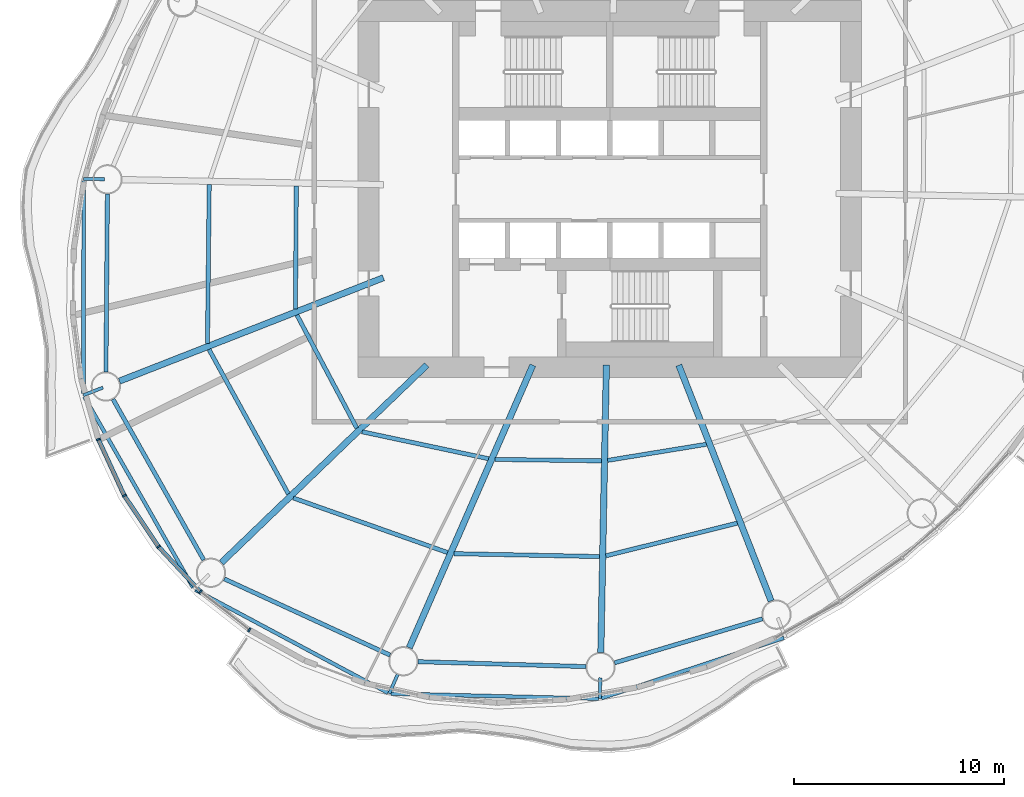
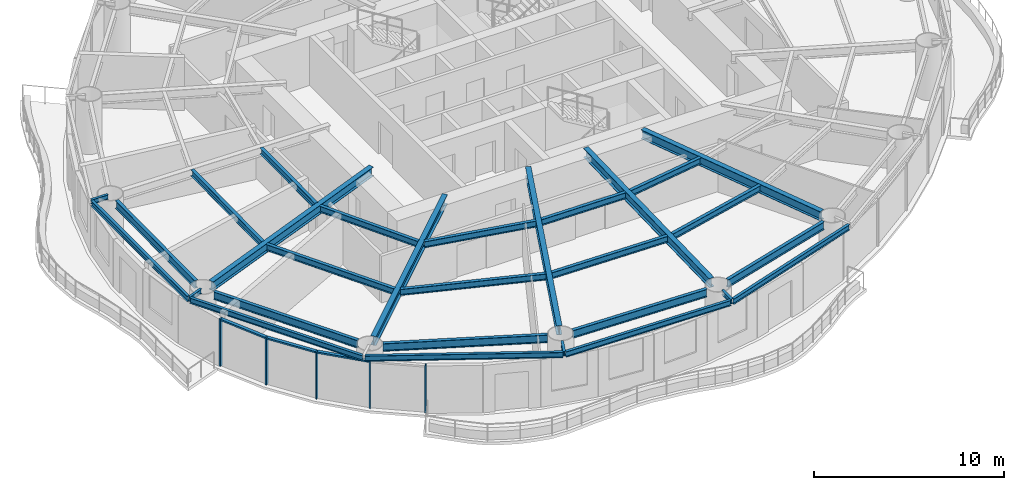
# One storey, part 2 of 14: 29 beams, 8 members, 4 elements without a shape of their own.
"""IFC4 building model written with IfcOpenShell, lengths in metres."""

from ifc_helpers import new_model, si_unit, direction, frame, origin, origin_2d, place, context, subcontext, project, spatial, rectangle, i_section, extrude, material, material_profile, profile_set, type_object, element, aggregate, save


model = new_model("IFC4")

# Units and contexts
model_context = context("Model", 3, precision=1e-05, world=origin(), true_north=direction((0.0, 1.0)))
body_context = subcontext(model_context, "Body", "Model", "MODEL_VIEW")
ifc_project = project(units=[si_unit("LENGTHUNIT", "METRE"), si_unit("AREAUNIT", "SQUARE_METRE"), si_unit("VOLUMEUNIT", "CUBIC_METRE"), si_unit("PLANEANGLEUNIT", "RADIAN"), si_unit("MASSUNIT", "GRAM", prefix="KILO")], contexts=[model_context])

# Site, building, storey
site_placement = place(None, origin())
site = spatial("IfcSite", under=ifc_project, at=site_placement, CompositionType="ELEMENT")
building_placement = place(site_placement, origin())
building = spatial("IfcBuilding", under=site, at=building_placement, Name="Vermilion Reach Broadcast Tower", CompositionType="ELEMENT")
storey_placement = place(building_placement, frame((0.0, 0.0, 186.60009765625)))
storey = spatial("IfcBuildingStorey", under=building, at=storey_placement, Name="L45", CompositionType="ELEMENT", Elevation=186.60009765625)

# Beams
ifc_material_1 = material(Name="Steel S355J2", Category="steel")
ifc_material_profile_1 = material_profile(ifc_material_1, i_section(OverallWidth=0.175048828125, OverallDepth=0.35009765625, WebThickness=0.007080078125, FlangeThickness=0.010986328125, at=origin_2d()), Name="S355J2 HN 350x175x7x11")
ifc_profile_set_1 = profile_set([ifc_material_profile_1], Name="Steel S355J2")
beam_type_1 = type_object("IfcBeamType", Name="EB3 HN 350x175x7x11", PredefinedType="BEAM", material=ifc_profile_set_1)
beam_1_placement = place(storey_placement, frame((-31.098388671875, 0.411376953125, 3.224853515625), z_axis=(-0.000840618398, -0.99999964668, 0.0), x_axis=(0.99999964668, -0.000840618398, 0.0)))
element("IfcBeam", 1, at=beam_1_placement, inside=storey, type_object=beam_type_1, Name="Edge beam EB3-07", PredefinedType="BEAM", context=body_context, shape_type="SweptSolid", body=[
    extrude(i_section(OverallWidth=0.175048828125, OverallDepth=0.35009765625, WebThickness=0.007080078125, FlangeThickness=0.010986328125, at=origin_2d()), origin(), (0.0, 0.0, 1.0), 10.1650390625),
])
beam_2_placement = place(storey_placement, frame((-31.0693359375, -9.900146484375, 3.224853515625), z_axis=(0.495161240221, -0.86880109702, 0.0), x_axis=(0.86880109702, 0.495161240221, 0.0)))
element("IfcBeam", 2, at=beam_2_placement, inside=storey, type_object=beam_type_1, Name="Edge beam EB3-08", PredefinedType="BEAM", context=body_context, shape_type="SweptSolid", body=[
    extrude(i_section(OverallWidth=0.175048828125, OverallDepth=0.35009765625, WebThickness=0.007080078125, FlangeThickness=0.010986328125, at=origin_2d()), origin(), (0.0, 0.0, 1.0), 10.4912109375),
])
beam_3_placement = place(storey_placement, frame((-25.7666015625, -19.119384765625, 3.224853515625), z_axis=(0.88173360956, -0.471747646281, 0.0), x_axis=(0.471747646281, 0.88173360956, 0.0)))
element("IfcBeam", 3, at=beam_3_placement, inside=storey, type_object=beam_type_1, Name="Edge beam EB3-09", PredefinedType="BEAM", context=body_context, shape_type="SweptSolid", body=[
    extrude(i_section(OverallWidth=0.175048828125, OverallDepth=0.35009765625, WebThickness=0.007080078125, FlangeThickness=0.010986328125, at=origin_2d()), origin(), (0.0, 0.0, 1.0), 10.412109375),
])
beam_4_placement = place(storey_placement, frame((-16.4384765625, -24.06884765625, 3.224853515625), z_axis=(0.99970465298, -0.024302403396, 0.0), x_axis=(0.024302403396, 0.99970465298, 0.0)))
element("IfcBeam", 4, at=beam_4_placement, inside=storey, type_object=beam_type_1, Name="Edge beam EB3-10", PredefinedType="BEAM", context=body_context, shape_type="SweptSolid", body=[
    extrude(i_section(OverallWidth=0.175048828125, OverallDepth=0.35009765625, WebThickness=0.007080078125, FlangeThickness=0.010986328125, at=origin_2d()), origin(), (0.0, 0.0, 1.0), 9.895263671875),
])
beam_5_placement = place(storey_placement, frame((-6.3955078125, -24.286376953125, 3.224853515625), z_axis=(0.949463615781, 0.313877113387, 0.0), x_axis=(-0.313877113387, 0.949463615781, 0.0)))
element("IfcBeam", 5, at=beam_5_placement, inside=storey, type_object=beam_type_1, Name="Edge beam EB3-11", PredefinedType="BEAM", context=body_context, shape_type="SweptSolid", body=[
    extrude(i_section(OverallWidth=0.175048828125, OverallDepth=0.35009765625, WebThickness=0.007080078125, FlangeThickness=0.010986328125, at=origin_2d()), origin(), (0.0, 0.0, 1.0), 9.164306640625),
])
ifc_material_2 = material(Name="Steel S355J2", Category="steel")
ifc_material_profile_2 = material_profile(ifc_material_2, i_section(OverallWidth=0.300048828125, OverallDepth=0.587890625, WebThickness=0.011962890625, FlangeThickness=0.02001953125, at=origin_2d()), Name="S355J2 HM 588x300x12x20")
ifc_profile_set_2 = profile_set([ifc_material_profile_2], Name="Steel S355J2")
beam_type_2 = type_object("IfcBeamType", Name="G3 HM 588x300x12x20", PredefinedType="BEAM", material=ifc_profile_set_2)
beam_6_placement = place(storey_placement, frame((-16.800048828125, -4.230224609375, 3.10595703125), z_axis=(-0.931119103562, -0.364715251918, 0.0), x_axis=(0.364715251918, -0.931119103562, 0.0)))
element("IfcBeam", 6, at=beam_6_placement, inside=storey, type_object=beam_type_2, Name="Girder G3-08", PredefinedType="BEAM", context=body_context, shape_type="SweptSolid", body=[
    extrude(i_section(OverallWidth=0.300048828125, OverallDepth=0.587890625, WebThickness=0.011962890625, FlangeThickness=0.02001953125, at=origin_2d()), origin(), (0.0, 0.0, 1.0), 13.519775390625),
])
beam_7_placement = place(storey_placement, frame((-14.73193359375, -8.39990234375, 3.10595703125), z_axis=(-0.720669342644, -0.693278947158, 0.0), x_axis=(0.693278947158, -0.720669342644, 0.0)))
element("IfcBeam", 7, at=beam_7_placement, inside=storey, type_object=beam_type_2, Name="Girder G3-09", PredefinedType="BEAM", context=body_context, shape_type="SweptSolid", body=[
    extrude(i_section(OverallWidth=0.300048828125, OverallDepth=0.587890625, WebThickness=0.011962890625, FlangeThickness=0.02001953125, at=origin_2d()), origin(), (0.0, 0.0, 1.0), 13.583984375),
])
beam_8_placement = place(storey_placement, frame((-9.671630859375, -8.39990234375, 3.10595703125), z_axis=(-0.400513302086, -0.916290944434, 0.0), x_axis=(0.916290944434, -0.400513302086, 0.0)))
element("IfcBeam", 8, at=beam_8_placement, inside=storey, type_object=beam_type_2, Name="Girder G3-10", PredefinedType="BEAM", context=body_context, shape_type="SweptSolid", body=[
    extrude(i_section(OverallWidth=0.300048828125, OverallDepth=0.587890625, WebThickness=0.011962890625, FlangeThickness=0.02001953125, at=origin_2d()), origin(), (0.0, 0.0, 1.0), 14.71435546875),
])
beam_9_placement = place(storey_placement, frame((-6.162841796875, -8.39990234375, 3.10595703125), z_axis=(-0.019366956402, -0.999812442911, 0.0), x_axis=(0.999812442911, -0.019366956402, 0.0)))
element("IfcBeam", 9, at=beam_9_placement, inside=storey, type_object=beam_type_2, Name="Girder G3-11", PredefinedType="BEAM", context=body_context, shape_type="SweptSolid", body=[
    extrude(i_section(OverallWidth=0.300048828125, OverallDepth=0.587890625, WebThickness=0.011962890625, FlangeThickness=0.02001953125, at=origin_2d()), origin(), (0.0, 0.0, 1.0), 13.702880859375),
])
beam_10_placement = place(storey_placement, frame((-2.709716796875, -8.39990234375, 3.10595703125), z_axis=(0.364701826604, -0.931124362087, 0.0), x_axis=(0.931124362087, 0.364701826604, 0.0)))
element("IfcBeam", 10, at=beam_10_placement, inside=storey, type_object=beam_type_2, Name="Girder G3-12", PredefinedType="BEAM", context=body_context, shape_type="SweptSolid", body=[
    extrude(i_section(OverallWidth=0.300048828125, OverallDepth=0.587890625, WebThickness=0.011962890625, FlangeThickness=0.02001953125, at=origin_2d()), origin(), (0.0, 0.0, 1.0), 12.0810546875),
])
ifc_material_3 = material(Name="Steel S355J2", Category="steel")
ifc_material_profile_3 = material_profile(ifc_material_3, i_section(OverallWidth=0.14990234375, OverallDepth=0.300048828125, WebThickness=0.006591796875, FlangeThickness=0.009033203125, at=origin_2d()), Name="S355J2 HN 300x150x6.5x9")
ifc_profile_set_3 = profile_set([ifc_material_profile_3], Name="Steel S355J2")
beam_type_3 = type_object("IfcBeamType", Name="GS3 HN 300x150x6.5x9", PredefinedType="BEAM", material=ifc_profile_set_3)
for number, where, z_axis, x_axis, name in (
    (11, (-30.098388671875, 0.467041015625, 3.25), (-0.999813964781, 0.019288230334, 0.0), (-0.019288230334, -0.999813964781, 0.0), "Cantilever stub GS3-07"),
    (12, (-30.17578125, -9.469482421875, 3.25), (-0.931113051526, -0.364730702407, 0.0), (0.364730702407, -0.931113051526, 0.0), "Cantilever stub GS3-08"),
):
    element("IfcBeam", number, at=place(storey_placement, frame(where, z_axis=z_axis, x_axis=x_axis)), inside=storey, type_object=beam_type_3, Name=name, PredefinedType="BEAM", context=body_context, shape_type="SweptSolid", body=[
        extrude(i_section(OverallWidth=0.14990234375, OverallDepth=0.300048828125, WebThickness=0.006591796875, FlangeThickness=0.009033203125, at=origin_2d()), origin(), (0.0, 0.0, 1.0), 1.0),
    ])
beam_11_placement = place(storey_placement, frame((-16.118896484375, -23.150390625, 3.25), z_axis=(-0.40053712145, -0.916280532556, 0.0), x_axis=(0.916280532556, -0.40053712145, 0.0)))
element("IfcBeam", 13, at=beam_11_placement, inside=storey, type_object=beam_type_3, Name="Cantilever stub GS3-10", PredefinedType="BEAM", context=body_context, shape_type="SweptSolid", body=[
    extrude(i_section(OverallWidth=0.14990234375, OverallDepth=0.300048828125, WebThickness=0.006591796875, FlangeThickness=0.009033203125, at=origin_2d()), origin(), (0.0, 0.0, 1.0), 1.000244140625),
])
beam_12_placement = place(storey_placement, frame((-6.45166015625, -23.3115234375, 3.25), z_axis=(-0.019288230334, -0.999813964781, 0.0), x_axis=(0.999813964781, -0.019288230334, 0.0)))
element("IfcBeam", 14, at=beam_12_placement, inside=storey, type_object=beam_type_3, Name="Cantilever stub GS3-11", PredefinedType="BEAM", context=body_context, shape_type="SweptSolid", body=[
    extrude(i_section(OverallWidth=0.14990234375, OverallDepth=0.300048828125, WebThickness=0.006591796875, FlangeThickness=0.009033203125, at=origin_2d()), origin(), (0.0, 0.0, 1.0), 1.0),
])
ifc_material_4 = material(Name="Steel S355J2", Category="steel")
ifc_material_profile_4 = material_profile(ifc_material_4, i_section(OverallWidth=0.199951171875, OverallDepth=0.5, WebThickness=0.010009765625, FlangeThickness=0.01611328125, at=origin_2d()), Name="S355J2 HN 500x200x10x16")
ifc_profile_set_4 = profile_set([ifc_material_profile_4], Name="Steel S355J2")
beam_type_4 = type_object("IfcBeamType", Name="RB3 HN 500x200x10x16", PredefinedType="BEAM", material=ifc_profile_set_4)
beam_13_placement = place(storey_placement, frame((-29.965087890625, -0.23583984375, 3.14990234375), z_axis=(-0.008204232036, -0.999966344722, 0.0), x_axis=(0.999966344722, -0.008204232036, 0.0)))
element("IfcBeam", 15, at=beam_13_placement, inside=storey, type_object=beam_type_4, Name="Ring beam RB3-07", PredefinedType="BEAM", context=body_context, shape_type="SweptSolid", body=[
    extrude(i_section(OverallWidth=0.199951171875, OverallDepth=0.5, WebThickness=0.010009765625, FlangeThickness=0.01611328125, at=origin_2d()), origin(), (0.0, 0.0, 1.0), 8.48095703125),
])
beam_14_placement = place(storey_placement, frame((-29.696533203125, -10.026123046875, 3.14990234375), z_axis=(0.491466825026, -0.870896296869, 0.0), x_axis=(0.870896296869, 0.491466825026, 0.0)))
element("IfcBeam", 16, at=beam_14_placement, inside=storey, type_object=beam_type_4, Name="Ring beam RB3-08", PredefinedType="BEAM", context=body_context, shape_type="SweptSolid", body=[
    extrude(i_section(OverallWidth=0.199951171875, OverallDepth=0.5, WebThickness=0.010009765625, FlangeThickness=0.01611328125, at=origin_2d()), origin(), (0.0, 0.0, 1.0), 8.803466796875),
])
beam_15_placement = place(storey_placement, frame((-24.389892578125, -18.594970703125, 3.14990234375), z_axis=(0.908546241769, -0.417784306272, 0.0), x_axis=(0.417784306272, 0.908546241769, 0.0)))
element("IfcBeam", 17, at=beam_15_placement, inside=storey, type_object=beam_type_4, Name="Ring beam RB3-09", PredefinedType="BEAM", context=body_context, shape_type="SweptSolid", body=[
    extrude(i_section(OverallWidth=0.199951171875, OverallDepth=0.5, WebThickness=0.010009765625, FlangeThickness=0.01611328125, at=origin_2d()), origin(), (0.0, 0.0, 1.0), 8.704833984375),
])
beam_16_placement = place(storey_placement, frame((-15.1455078125, -22.544677734375, 3.14990234375), z_axis=(0.999569781146, -0.029330063427, 0.0), x_axis=(0.029330063427, 0.999569781146, 0.0)))
element("IfcBeam", 18, at=beam_16_placement, inside=storey, type_object=beam_type_4, Name="Ring beam RB3-10", PredefinedType="BEAM", context=body_context, shape_type="SweptSolid", body=[
    extrude(i_section(OverallWidth=0.199951171875, OverallDepth=0.5, WebThickness=0.010009765625, FlangeThickness=0.01611328125, at=origin_2d()), origin(), (0.0, 0.0, 1.0), 8.007568359375),
])
beam_17_placement = place(storey_placement, frame((-5.770751953125, -22.60009765625, 3.14990234375), z_axis=(0.958416970322, 0.285371531516, 0.0), x_axis=(-0.285371531516, 0.958416970322, 0.0)))
element("IfcBeam", 19, at=beam_17_placement, inside=storey, type_object=beam_type_4, Name="Ring beam RB3-11", PredefinedType="BEAM", context=body_context, shape_type="SweptSolid", body=[
    extrude(i_section(OverallWidth=0.199951171875, OverallDepth=0.5, WebThickness=0.010009765625, FlangeThickness=0.01611328125, at=origin_2d()), origin(), (0.0, 0.0, 1.0), 7.357421875),
])
ifc_material_5 = material(Name="Steel S355J2", Category="steel")
ifc_material_profile_5 = material_profile(ifc_material_5, i_section(OverallWidth=0.199951171875, OverallDepth=0.39990234375, WebThickness=0.008056640625, FlangeThickness=0.012939453125, at=origin_2d()), Name="S355J2 HN 400x200x8x13")
ifc_profile_set_5 = profile_set([ifc_material_profile_5], Name="Steel S355J2")
beam_type_5 = type_object("IfcBeamType", Name="SB3 HN 400x200x8x13", PredefinedType="BEAM", material=ifc_profile_set_5)
beam_18_placement = place(storey_placement, frame((-20.954345703125, 0.1396484375, 3.199951171875), z_axis=(-0.006966873053, -0.999975731045, 0.0), x_axis=(0.999975731045, -0.006966873053, 0.0)))
element("IfcBeam", 20, at=beam_18_placement, inside=storey, type_object=beam_type_5, Name="Secondary beam SB3-07-1", PredefinedType="BEAM", context=body_context, shape_type="SweptSolid", body=[
    extrude(i_section(OverallWidth=0.199951171875, OverallDepth=0.39990234375, WebThickness=0.008056640625, FlangeThickness=0.012939453125, at=origin_2d()), origin(), (0.0, 0.0, 1.0), 5.852294921875),
])
beam_19_placement = place(storey_placement, frame((-25.10791015625, 0.22021484375, 3.199951171875), z_axis=(-0.010923907469, -0.999940332343, 0.0), x_axis=(0.999940332343, -0.010923907469, 0.0)))
element("IfcBeam", 21, at=beam_19_placement, inside=storey, type_object=beam_type_5, Name="Secondary beam SB3-07-2", PredefinedType="BEAM", context=body_context, shape_type="SweptSolid", body=[
    extrude(i_section(OverallWidth=0.199951171875, OverallDepth=0.39990234375, WebThickness=0.008056640625, FlangeThickness=0.012939453125, at=origin_2d()), origin(), (0.0, 0.0, 1.0), 7.576416015625),
])
beam_20_placement = place(storey_placement, frame((-20.925537109375, -6.00732421875, 3.199951171875), z_axis=(0.468128443589, -0.883660432691, 0.0), x_axis=(0.883660432691, 0.468128443589, 0.0)))
element("IfcBeam", 22, at=beam_20_placement, inside=storey, type_object=beam_type_5, Name="Secondary beam SB3-08-1", PredefinedType="BEAM", context=body_context, shape_type="SweptSolid", body=[
    extrude(i_section(OverallWidth=0.199951171875, OverallDepth=0.39990234375, WebThickness=0.008056640625, FlangeThickness=0.012939453125, at=origin_2d()), origin(), (0.0, 0.0, 1.0), 6.10400390625),
])
beam_21_placement = place(storey_placement, frame((-25.11962890625, -7.650146484375, 3.199951171875), z_axis=(0.481538513098, -0.876424931414, 0.0), x_axis=(0.876424931414, 0.481538513098, 0.0)))
element("IfcBeam", 23, at=beam_21_placement, inside=storey, type_object=beam_type_5, Name="Secondary beam SB3-08-2", PredefinedType="BEAM", context=body_context, shape_type="SweptSolid", body=[
    extrude(i_section(OverallWidth=0.199951171875, OverallDepth=0.39990234375, WebThickness=0.008056640625, FlangeThickness=0.012939453125, at=origin_2d()), origin(), (0.0, 0.0, 1.0), 7.863525390625),
])
beam_22_placement = place(storey_placement, frame((-17.81787109375, -11.576904296875, 3.199951171875), z_axis=(0.97803987532, -0.208417855003, 0.0), x_axis=(0.208417855003, 0.97803987532, 0.0)))
element("IfcBeam", 24, at=beam_22_placement, inside=storey, type_object=beam_type_5, Name="Secondary beam SB3-09-1", PredefinedType="BEAM", context=body_context, shape_type="SweptSolid", body=[
    extrude(i_section(OverallWidth=0.199951171875, OverallDepth=0.39990234375, WebThickness=0.008056640625, FlangeThickness=0.012939453125, at=origin_2d()), origin(), (0.0, 0.0, 1.0), 6.16748046875),
])
beam_23_placement = place(storey_placement, frame((-21.10009765625, -14.734130859375, 3.199951171875), z_axis=(0.942694879049, -0.333656057961, 0.0), x_axis=(0.333656057961, 0.942694879049, 0.0)))
element("IfcBeam", 25, at=beam_23_placement, inside=storey, type_object=beam_type_5, Name="Secondary beam SB3-09-2", PredefinedType="BEAM", context=body_context, shape_type="SweptSolid", body=[
    extrude(i_section(OverallWidth=0.199951171875, OverallDepth=0.39990234375, WebThickness=0.008056640625, FlangeThickness=0.012939453125, at=origin_2d()), origin(), (0.0, 0.0, 1.0), 7.80517578125),
])
beam_24_placement = place(storey_placement, frame((-11.473388671875, -12.896484375, 3.199951171875), z_axis=(0.999909843758, -0.013427745784, 0.0), x_axis=(0.013427745784, 0.999909843758, 0.0)))
element("IfcBeam", 26, at=beam_24_placement, inside=storey, type_object=beam_type_5, Name="Secondary beam SB3-10-1", PredefinedType="BEAM", context=body_context, shape_type="SweptSolid", body=[
    extrude(i_section(OverallWidth=0.199951171875, OverallDepth=0.39990234375, WebThickness=0.008056640625, FlangeThickness=0.012939453125, at=origin_2d()), origin(), (0.0, 0.0, 1.0), 5.07275390625),
])
beam_25_placement = place(storey_placement, frame((-13.438232421875, -17.3916015625, 3.199951171875), z_axis=(0.999800915862, -0.019953161175, 0.0), x_axis=(0.019953161175, 0.999800915862, 0.0)))
element("IfcBeam", 27, at=beam_25_placement, inside=storey, type_object=beam_type_5, Name="Secondary beam SB3-10-2", PredefinedType="BEAM", context=body_context, shape_type="SweptSolid", body=[
    extrude(i_section(OverallWidth=0.199951171875, OverallDepth=0.39990234375, WebThickness=0.008056640625, FlangeThickness=0.012939453125, at=origin_2d()), origin(), (0.0, 0.0, 1.0), 6.949951171875),
])
beam_26_placement = place(storey_placement, frame((-6.100830078125, -12.942138671875, 3.199951171875), z_axis=(0.98696193116, 0.160953864325, 0.0), x_axis=(-0.160953864325, 0.98696193116, 0.0)))
element("IfcBeam", 28, at=beam_26_placement, inside=storey, type_object=beam_type_5, Name="Secondary beam SB3-11-1", PredefinedType="BEAM", context=body_context, shape_type="SweptSolid", body=[
    extrude(i_section(OverallWidth=0.199951171875, OverallDepth=0.39990234375, WebThickness=0.008056640625, FlangeThickness=0.012939453125, at=origin_2d()), origin(), (0.0, 0.0, 1.0), 4.7705078125),
])
beam_27_placement = place(storey_placement, frame((-6.18896484375, -17.495849609375, 3.199951171875), z_axis=(0.970410858976, 0.241459654564, 0.0), x_axis=(-0.241459654564, 0.970410858976, 0.0)))
element("IfcBeam", 29, at=beam_27_placement, inside=storey, type_object=beam_type_5, Name="Secondary beam SB3-11-2", PredefinedType="BEAM", context=body_context, shape_type="SweptSolid", body=[
    extrude(i_section(OverallWidth=0.199951171875, OverallDepth=0.39990234375, WebThickness=0.008056640625, FlangeThickness=0.012939453125, at=origin_2d()), origin(), (0.0, 0.0, 1.0), 6.4609375),
])

# Curtain wall, member
ifc_material_6 = material(Name="Low-e laminated clear glass in aluminium frame", Category="aluminium")
curtain_wall_type = type_object("IfcCurtainWallType", Name="Slot curtain wall", PredefinedType="NOTDEFINED", material=ifc_material_6)
placement = place(storey_placement, origin())
curtain_wall_1 = element("IfcCurtainWall", 30, at=placement, inside=storey, type_object=curtain_wall_type, Name="Slot curtain wall L45 22", PredefinedType="NOTDEFINED")
ifc_material_7 = material(Name="Anodised aluminium", Category="aluminium")
ifc_material_profile_6 = material_profile(ifc_material_7, rectangle(XDim=0.199951171875, YDim=0.080078125, at=origin_2d()), Name="Slot mullion 80 x 200")
ifc_profile_set_6 = profile_set([ifc_material_profile_6], Name="Anodised aluminium")
member_type_1 = type_object("IfcMemberType", Name="Slot mullion 80 x 200", PredefinedType="MULLION", material=ifc_profile_set_6)
member_1_placement = place(storey_placement, frame((-30.39599609375, -11.9404296875, 0.0), z_axis=(0.0, 0.0, 1.0), x_axis=(0.937728009906, 0.347370377894, 0.0)))
member_1 = element("IfcMember", 31, at=member_1_placement, type_object=member_type_1, Name="Slot mullion L45 22", PredefinedType="MULLION", context=body_context, shape_type="SweptSolid", body=[
    extrude(rectangle(XDim=0.199951171875, YDim=0.080078125, at=origin_2d()), origin(), (0.0, 0.0, 1.0), 3.0498046875),
])

curtain_wall_2 = element("IfcCurtainWall", 32, at=placement, inside=storey, type_object=curtain_wall_type, Name="Slot curtain wall L45 23", PredefinedType="NOTDEFINED")
member_2_placement = place(storey_placement, frame((-29.157958984375, -14.625732421875, 0.0), z_axis=(0.0, 0.0, 1.0), x_axis=(0.872145119132, 0.489247269971, 0.0)))
member_2 = element("IfcMember", 33, at=member_2_placement, type_object=member_type_1, Name="Slot mullion L45 23", PredefinedType="MULLION", context=body_context, shape_type="SweptSolid", body=[
    extrude(rectangle(XDim=0.199951171875, YDim=0.080078125, at=origin_2d()), origin(), (0.0, 0.0, 1.0), 3.0498046875),
])

curtain_wall_3 = element("IfcCurtainWall", 34, at=placement, inside=storey, type_object=curtain_wall_type, Name="Slot curtain wall L45 24", PredefinedType="NOTDEFINED")
member_3_placement = place(storey_placement, frame((-27.52587890625, -17.061279296875, 0.0), z_axis=(0.0, 0.0, 1.0), x_axis=(0.783693460708, 0.621147776011, 0.0)))
member_3 = element("IfcMember", 35, at=member_3_placement, type_object=member_type_1, Name="Slot mullion L45 24", PredefinedType="MULLION", context=body_context, shape_type="SweptSolid", body=[
    extrude(rectangle(XDim=0.199951171875, YDim=0.080078125, at=origin_2d()), origin(), (0.0, 0.0, 1.0), 3.0498046875),
])

# Curtain wall, members
curtain_wall_4 = element("IfcCurtainWall", 36, at=placement, inside=storey, type_object=curtain_wall_type, Name="Slot curtain wall L45 25", PredefinedType="NOTDEFINED")
member_4_placement = place(storey_placement, frame((-25.52734375, -19.206298828125, 0.0), z_axis=(0.0, 0.0, 1.0), x_axis=(0.675475934355, 0.737382032672, 0.0)))
member_4 = element("IfcMember", 37, at=member_4_placement, type_object=member_type_1, Name="Slot mullion L45 25", PredefinedType="MULLION", context=body_context, shape_type="SweptSolid", body=[
    extrude(rectangle(XDim=0.199951171875, YDim=0.080078125, at=origin_2d()), origin(), (0.0, 0.0, 1.0), 3.0498046875),
])
member_5_placement = place(storey_placement, frame((-23.196044921875, -21.02490234375, 0.0), z_axis=(0.0, 0.0, 1.0), x_axis=(0.552323362647, 0.83362995572, 0.0)))
member_5 = element("IfcMember", 38, at=member_5_placement, type_object=member_type_1, Name="Slot mullion L45 26", PredefinedType="MULLION", context=body_context, shape_type="SweptSolid", body=[
    extrude(rectangle(XDim=0.199951171875, YDim=0.080078125, at=origin_2d()), origin(), (0.0, 0.0, 1.0), 3.0498046875),
])
aggregate(curtain_wall_4, [member_4, member_5])

# Member
ifc_material_8 = material(Name="Anodised aluminium", Category="aluminium")
ifc_material_profile_7 = material_profile(ifc_material_8, rectangle(XDim=0.199951171875, YDim=0.10009765625, at=origin_2d()), Name="Slot transom 200 x 100")
ifc_profile_set_7 = profile_set([ifc_material_profile_7], Name="Anodised aluminium")
member_type_2 = type_object("IfcMemberType", Name="Slot transom 200 x 100", PredefinedType="USERDEFINED", material=ifc_profile_set_7)
member_6_placement = place(storey_placement, frame((-30.37939453125, -11.976806640625, 3.0), z_axis=(0.418783708915, -0.908086011976, 0.0), x_axis=(0.908086011976, 0.418783708915, 0.0)))
member_6 = element("IfcMember", 39, at=member_6_placement, type_object=member_type_2, Name="Slot transom L45 22.1", ObjectType="TRANSOM", PredefinedType="USERDEFINED", context=body_context, shape_type="SweptSolid", body=[
    extrude(rectangle(XDim=0.199951171875, YDim=0.10009765625, at=origin_2d()), origin(), (0.0, 0.0, 1.0), 2.876953125),
])

aggregate(curtain_wall_1, [member_1, member_6])

member_7_placement = place(storey_placement, frame((-29.135498046875, -14.658935546875, 3.0), z_axis=(0.556674383212, -0.830730781346, 0.0), x_axis=(0.830730781346, 0.556674383212, 0.0)))
member_7 = element("IfcMember", 40, at=member_7_placement, type_object=member_type_2, Name="Slot transom L45 23.1", ObjectType="TRANSOM", PredefinedType="USERDEFINED", context=body_context, shape_type="SweptSolid", body=[
    extrude(rectangle(XDim=0.199951171875, YDim=0.10009765625, at=origin_2d()), origin(), (0.0, 0.0, 1.0), 2.8515625),
])

aggregate(curtain_wall_2, [member_2, member_7])

member_8_placement = place(storey_placement, frame((-27.49853515625, -17.09033203125, 3.0), z_axis=(0.681622491883, -0.731704023878, 0.0), x_axis=(0.731704023878, 0.681622491883, 0.0)))
member_8 = element("IfcMember", 41, at=member_8_placement, type_object=member_type_2, Name="Slot transom L45 24.1", ObjectType="TRANSOM", PredefinedType="USERDEFINED", context=body_context, shape_type="SweptSolid", body=[
    extrude(rectangle(XDim=0.199951171875, YDim=0.10009765625, at=origin_2d()), origin(), (0.0, 0.0, 1.0), 2.851806640625),
])

aggregate(curtain_wall_3, [member_3, member_8])

save(model, "model.ifc")
